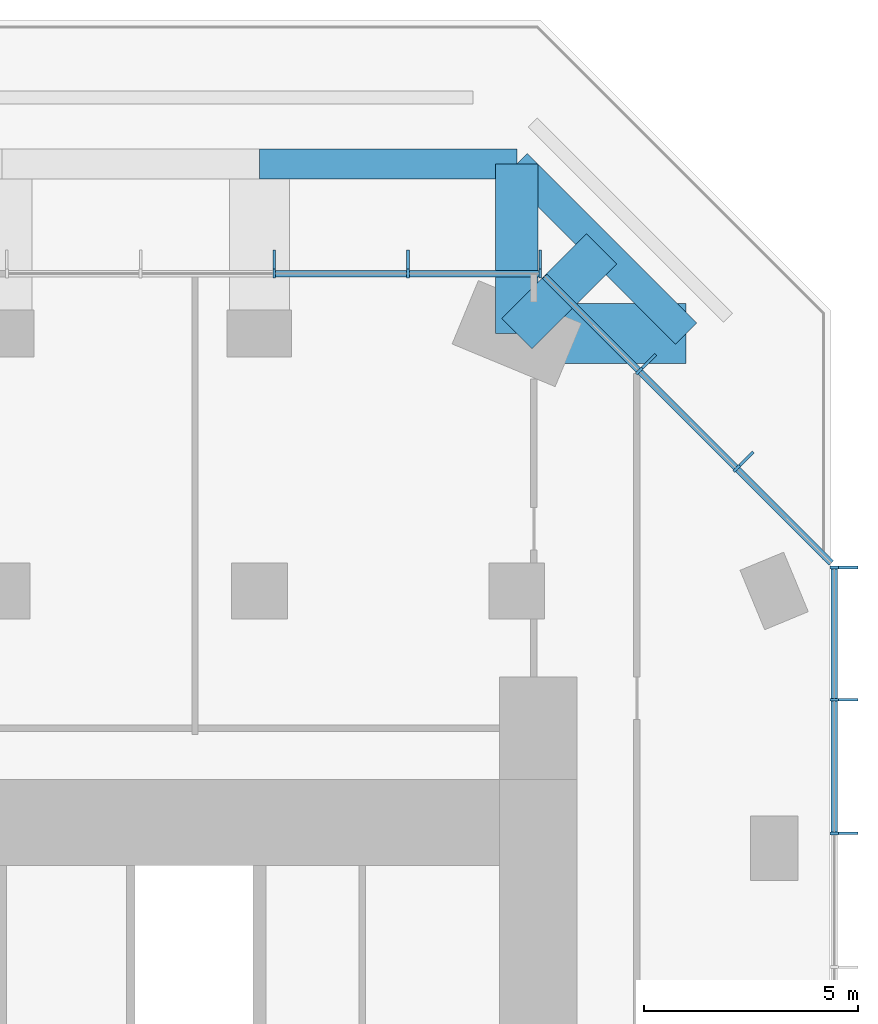
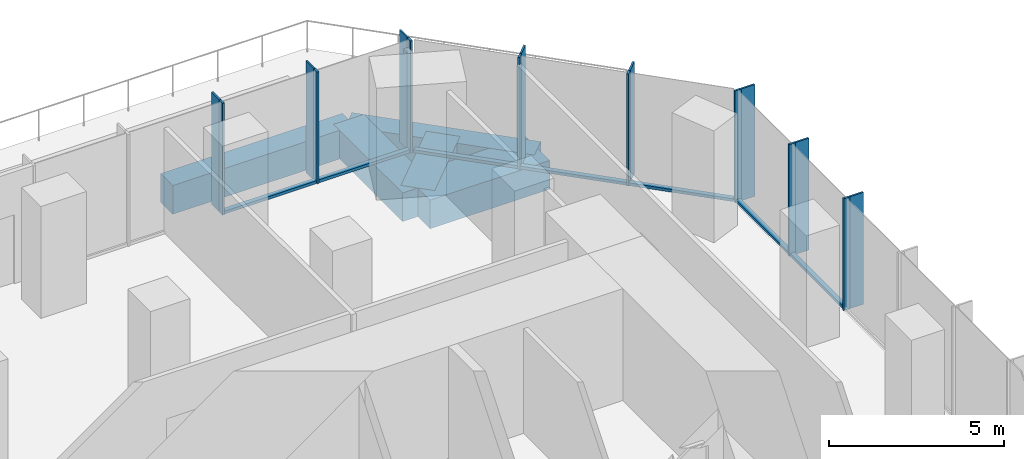
# One storey, part 6 of 11: 23 members, 5 beams, 3 elements without a shape of their own.
"""IFC4 building model written with IfcOpenShell, lengths in metres."""

from ifc_helpers import new_model, si_unit, direction, frame, origin, origin_2d, place, context, subcontext, project, spatial, rectangle, extrude, material, layer, layer_set, material_profile, profile_set, type_object, element, aggregate, save


model = new_model("IFC4")

# Units and contexts
model_context = context("Model", 3, precision=1e-05, world=origin(), true_north=direction((0.0, 1.0)))
body_context = subcontext(model_context, "Body", "Model", "MODEL_VIEW")
ifc_project = project(units=[si_unit("LENGTHUNIT", "METRE"), si_unit("AREAUNIT", "SQUARE_METRE"), si_unit("VOLUMEUNIT", "CUBIC_METRE"), si_unit("PLANEANGLEUNIT", "RADIAN"), si_unit("MASSUNIT", "GRAM", prefix="KILO")], contexts=[model_context])

# Site, building, storey
site_placement = place(None, origin())
site = spatial("IfcSite", under=ifc_project, at=site_placement, CompositionType="ELEMENT")
building_placement = place(site_placement, origin())
building = spatial("IfcBuilding", under=site, at=building_placement, Name="Highveld Stack Headquarters", CompositionType="ELEMENT")
storey_placement = place(building_placement, frame((0.0, 0.0, 212.300048828125)))
storey = spatial("IfcBuildingStorey", under=building, at=storey_placement, Name="L52", CompositionType="ELEMENT", Elevation=212.300048828125)

# Beams
ifc_material_1 = material(Name="Concrete C60/75", Category="concrete")
ifc_material_profile_1 = material_profile(ifc_material_1, rectangle(XDim=1.0, YDim=1.0, at=origin_2d()), Name="RC 1000x1000")
ifc_profile_set_1 = profile_set([ifc_material_profile_1], Name="Concrete C60/75")
beam_type_1 = type_object("IfcBeamType", Name="CANTILEVER RIB RC 1000x1000", PredefinedType="USERDEFINED", material=ifc_profile_set_1)
beam_1_placement = place(storey_placement, frame((18.0, 24.0, -0.75), z_axis=(0.0, 1.0, 0.0), x_axis=(-1.0, 0.0, 0.0)))
element("IfcBeam", 1, at=beam_1_placement, inside=storey, type_object=beam_type_1, Name="Cantilever rib 9/J L52", ObjectType="CANTILEVER RIB", PredefinedType="USERDEFINED", context=body_context, shape_type="SweptSolid", body=[
    extrude(rectangle(XDim=1.0, YDim=1.0, at=origin_2d()), origin(), (0.0, 0.0, 1.0), 3.949951171875),
])
beam_2_placement = place(storey_placement, frame((18.0, 24.0, -0.75), z_axis=(0.707106781187, 0.707106781187, 0.0), x_axis=(-0.707106781187, 0.707106781187, 0.0)))
element("IfcBeam", 2, at=beam_2_placement, inside=storey, type_object=beam_type_1, Name="Cantilever rib 9/J L52", ObjectType="CANTILEVER RIB", PredefinedType="USERDEFINED", context=body_context, shape_type="SweptSolid", body=[
    extrude(rectangle(XDim=1.0, YDim=1.0, at=origin_2d()), origin(), (0.0, 0.0, 1.0), 2.793212890625),
])
ifc_material_2 = material(Name="Concrete C60/75", Category="concrete")
ifc_material_profile_2 = material_profile(ifc_material_2, rectangle(XDim=1.39990234375, YDim=1.0, at=origin_2d()), Name="RC 1400x1000")
ifc_profile_set_2 = profile_set([ifc_material_profile_2], Name="Concrete C60/75")
beam_type_2 = type_object("IfcBeamType", Name="CANTILEVER RIB RC 1400x1000", PredefinedType="USERDEFINED", material=ifc_profile_set_2)
beam_3_placement = place(storey_placement, frame((18.0, 24.0, -0.75), z_axis=(1.0, 0.0, 0.0), x_axis=(0.0, 1.0, 0.0)))
element("IfcBeam", 3, at=beam_3_placement, inside=storey, type_object=beam_type_2, Name="Cantilever rib 9/J L52", ObjectType="CANTILEVER RIB", PredefinedType="USERDEFINED", context=body_context, shape_type="SweptSolid", body=[
    extrude(rectangle(XDim=1.39990234375, YDim=1.0, at=origin_2d()), origin(), (0.0, 0.0, 1.0), 3.949951171875),
])

# Curtain wall, members
ifc_material_3 = material(Name="Aluminium bronze anodised", Category="aluminium")
ifc_layer_1 = layer(ifc_material_3, 0.199951171875)
ifc_layer_set_1 = layer_set([ifc_layer_1], Name="Aluminium bronze anodised")
curtain_wall_type_1 = type_object("IfcCurtainWallType", Name="CW1 TOWER UNITISED CURTAIN WALL", PredefinedType="NOTDEFINED", material=ifc_layer_set_1)
curtain_wall_1_placement = place(storey_placement, origin())
curtain_wall_1 = element("IfcCurtainWall", 4, at=curtain_wall_1_placement, inside=storey, type_object=curtain_wall_type_1, Name="Curtain wall CW1 L52 E", PredefinedType="NOTDEFINED")
ifc_material_4 = material(Name="Aluminium bronze anodised", Category="aluminium")
ifc_material_profile_3 = material_profile(ifc_material_4, rectangle(XDim=0.449951171875, YDim=0.06005859375, at=origin_2d()), Name="FIN 450x60")
ifc_profile_set_3 = profile_set([ifc_material_profile_3], Name="Aluminium bronze anodised")
member_type_1 = type_object("IfcMemberType", Name="CW1 BRONZE FIN 450x60", PredefinedType="USERDEFINED", material=ifc_profile_set_3)
member_1_placement = place(storey_placement, frame((25.72509765625, 12.347900390625, 0.0), z_axis=(0.0, 0.0, 1.0), x_axis=(-1.0, 0.0, 0.0)))
member_1 = element("IfcMember", 5, at=member_1_placement, type_object=member_type_1, Name="CW1 fin L52 9", ObjectType="FIN", PredefinedType="USERDEFINED", context=body_context, shape_type="SweptSolid", body=[
    extrude(rectangle(XDim=0.449951171875, YDim=0.06005859375, at=origin_2d()), origin(), (0.0, 0.0, 1.0), 3.89990234375),
])
member_2_placement = place(storey_placement, frame((25.72509765625, 15.4638671875, 0.0), z_axis=(0.0, 0.0, 1.0), x_axis=(-1.0, 0.0, 0.0)))
member_2 = element("IfcMember", 6, at=member_2_placement, type_object=member_type_1, Name="CW1 fin L52 10", ObjectType="FIN", PredefinedType="USERDEFINED", context=body_context, shape_type="SweptSolid", body=[
    extrude(rectangle(XDim=0.449951171875, YDim=0.06005859375, at=origin_2d()), origin(), (0.0, 0.0, 1.0), 3.89990234375),
])
member_3_placement = place(storey_placement, frame((25.72509765625, 18.54736328125, 0.0), z_axis=(0.0, 0.0, 1.0), x_axis=(-1.0, 0.0, 0.0)))
member_3 = element("IfcMember", 7, at=member_3_placement, type_object=member_type_1, Name="CW1 fin L52 11", ObjectType="FIN", PredefinedType="USERDEFINED", context=body_context, shape_type="SweptSolid", body=[
    extrude(rectangle(XDim=0.449951171875, YDim=0.06005859375, at=origin_2d()), origin(), (0.0, 0.0, 1.0), 3.89990234375),
])

curtain_wall_2_placement = place(storey_placement, origin())
curtain_wall_2 = element("IfcCurtainWall", 8, at=curtain_wall_2_placement, inside=storey, type_object=curtain_wall_type_1, Name="Curtain wall CW1 L52 N-1", PredefinedType="NOTDEFINED")
member_4_placement = place(storey_placement, frame((18.54736328125, 25.72509765625, 0.0), z_axis=(0.0, 0.0, 1.0), x_axis=(0.0, -1.0, 0.0)))
member_4 = element("IfcMember", 9, at=member_4_placement, type_object=member_type_1, Name="CW1 fin L52 1", ObjectType="FIN", PredefinedType="USERDEFINED", context=body_context, shape_type="SweptSolid", body=[
    extrude(rectangle(XDim=0.449951171875, YDim=0.06005859375, at=origin_2d()), origin(), (0.0, 0.0, 1.0), 3.89990234375),
])
member_5_placement = place(storey_placement, frame((15.4638671875, 25.72509765625, 0.0), z_axis=(0.0, 0.0, 1.0), x_axis=(0.0, -1.0, 0.0)))
member_5 = element("IfcMember", 10, at=member_5_placement, type_object=member_type_1, Name="CW1 fin L52 2", ObjectType="FIN", PredefinedType="USERDEFINED", context=body_context, shape_type="SweptSolid", body=[
    extrude(rectangle(XDim=0.449951171875, YDim=0.06005859375, at=origin_2d()), origin(), (0.0, 0.0, 1.0), 3.89990234375),
])
member_6_placement = place(storey_placement, frame((12.347900390625, 25.72509765625, 0.0), z_axis=(0.0, 0.0, 1.0), x_axis=(0.0, -1.0, 0.0)))
member_6 = element("IfcMember", 11, at=member_6_placement, type_object=member_type_1, Name="CW1 fin L52 3", ObjectType="FIN", PredefinedType="USERDEFINED", context=body_context, shape_type="SweptSolid", body=[
    extrude(rectangle(XDim=0.449951171875, YDim=0.06005859375, at=origin_2d()), origin(), (0.0, 0.0, 1.0), 3.89990234375),
])

# Member
ifc_material_5 = material(Name="Aluminium bronze anodised", Category="aluminium")
ifc_material_profile_4 = material_profile(ifc_material_5, rectangle(XDim=0.199951171875, YDim=0.06494140625, at=origin_2d()), Name="CW1 MULLION 65x200")
ifc_profile_set_4 = profile_set([ifc_material_profile_4], Name="Aluminium bronze anodised")
member_type_2 = type_object("IfcMemberType", Name="CW1 MULLION 65x200", PredefinedType="MULLION", material=ifc_profile_set_4)
member_7_placement = place(storey_placement, frame((25.39990234375, 12.347900390625, 0.0), z_axis=(0.0, 0.0, 1.0), x_axis=(-1.0, 0.0, 0.0)))
member_7 = element("IfcMember", 12, at=member_7_placement, type_object=member_type_2, Name="CW1 mullion L52 9", PredefinedType="MULLION", context=body_context, shape_type="SweptSolid", body=[
    extrude(rectangle(XDim=0.199951171875, YDim=0.06494140625, at=origin_2d()), origin(), (0.0, 0.0, 1.0), 3.89990234375),
])

member_8_placement = place(storey_placement, frame((25.39990234375, 15.4638671875, 0.0), z_axis=(0.0, 0.0, 1.0), x_axis=(-1.0, 0.0, 0.0)))
member_8 = element("IfcMember", 13, at=member_8_placement, type_object=member_type_2, Name="CW1 mullion L52 10", PredefinedType="MULLION", context=body_context, shape_type="SweptSolid", body=[
    extrude(rectangle(XDim=0.199951171875, YDim=0.06494140625, at=origin_2d()), origin(), (0.0, 0.0, 1.0), 3.89990234375),
])

member_9_placement = place(storey_placement, frame((25.39990234375, 18.54736328125, 0.0), z_axis=(0.0, 0.0, 1.0), x_axis=(-1.0, 0.0, 0.0)))
member_9 = element("IfcMember", 14, at=member_9_placement, type_object=member_type_2, Name="CW1 mullion L52 11", PredefinedType="MULLION", context=body_context, shape_type="SweptSolid", body=[
    extrude(rectangle(XDim=0.199951171875, YDim=0.06494140625, at=origin_2d()), origin(), (0.0, 0.0, 1.0), 3.89990234375),
])

member_10_placement = place(storey_placement, frame((18.54736328125, 25.39990234375, 0.0), z_axis=(0.0, 0.0, 1.0), x_axis=(0.0, -1.0, 0.0)))
member_10 = element("IfcMember", 15, at=member_10_placement, type_object=member_type_2, Name="CW1 mullion L52 1", PredefinedType="MULLION", context=body_context, shape_type="SweptSolid", body=[
    extrude(rectangle(XDim=0.199951171875, YDim=0.06494140625, at=origin_2d()), origin(), (0.0, 0.0, 1.0), 3.89990234375),
])

member_11_placement = place(storey_placement, frame((15.4638671875, 25.39990234375, 0.0), z_axis=(0.0, 0.0, 1.0), x_axis=(0.0, -1.0, 0.0)))
member_11 = element("IfcMember", 16, at=member_11_placement, type_object=member_type_2, Name="CW1 mullion L52 2", PredefinedType="MULLION", context=body_context, shape_type="SweptSolid", body=[
    extrude(rectangle(XDim=0.199951171875, YDim=0.06494140625, at=origin_2d()), origin(), (0.0, 0.0, 1.0), 3.89990234375),
])

member_12_placement = place(storey_placement, frame((12.347900390625, 25.39990234375, 0.0), z_axis=(0.0, 0.0, 1.0), x_axis=(0.0, -1.0, 0.0)))
member_12 = element("IfcMember", 17, at=member_12_placement, type_object=member_type_2, Name="CW1 mullion L52 3", PredefinedType="MULLION", context=body_context, shape_type="SweptSolid", body=[
    extrude(rectangle(XDim=0.199951171875, YDim=0.06494140625, at=origin_2d()), origin(), (0.0, 0.0, 1.0), 3.89990234375),
])

ifc_material_6 = material(Name="Aluminium bronze anodised", Category="aluminium")
ifc_material_profile_5 = material_profile(ifc_material_6, rectangle(XDim=0.14990234375, YDim=0.10009765625, at=origin_2d()), Name="CW1 TRANSOM 150x100")
ifc_profile_set_5 = profile_set([ifc_material_profile_5], Name="Aluminium bronze anodised")
member_type_3 = type_object("IfcMemberType", Name="CW1 STACK TRANSOM 150x100", PredefinedType="USERDEFINED", material=ifc_profile_set_5)
member_13_placement = place(storey_placement, frame((25.39990234375, 12.38037109375, 0.050048828125), z_axis=(0.0, 1.0, 0.0), x_axis=(-1.0, 0.0, 0.0)))
member_13 = element("IfcMember", 18, at=member_13_placement, type_object=member_type_3, Name="CW1 transom L52 9.1", ObjectType="TRANSOM", PredefinedType="USERDEFINED", context=body_context, shape_type="SweptSolid", body=[
    extrude(rectangle(XDim=0.14990234375, YDim=0.10009765625, at=origin_2d()), origin(), (0.0, 0.0, 1.0), 3.051025390625),
])

member_14_placement = place(storey_placement, frame((25.39990234375, 15.496337890625, 0.050048828125), z_axis=(0.0, 1.0, 0.0), x_axis=(-1.0, 0.0, 0.0)))
member_14 = element("IfcMember", 19, at=member_14_placement, type_object=member_type_3, Name="CW1 transom L52 10.1", ObjectType="TRANSOM", PredefinedType="USERDEFINED", context=body_context, shape_type="SweptSolid", body=[
    extrude(rectangle(XDim=0.14990234375, YDim=0.10009765625, at=origin_2d()), origin(), (0.0, 0.0, 1.0), 3.0185546875),
])

aggregate(curtain_wall_1, [member_7, member_1, member_8, member_2, member_9, member_3, member_13, member_14])

member_15_placement = place(storey_placement, frame((18.514892578125, 25.39990234375, 0.050048828125), z_axis=(-1.0, 0.0, 0.0), x_axis=(0.0, -1.0, 0.0)))
member_15 = element("IfcMember", 20, at=member_15_placement, type_object=member_type_3, Name="CW1 transom L52 1.1", ObjectType="TRANSOM", PredefinedType="USERDEFINED", context=body_context, shape_type="SweptSolid", body=[
    extrude(rectangle(XDim=0.14990234375, YDim=0.10009765625, at=origin_2d()), origin(), (0.0, 0.0, 1.0), 3.0185546875),
])

member_16_placement = place(storey_placement, frame((15.431396484375, 25.39990234375, 0.050048828125), z_axis=(-1.0, 0.0, 0.0), x_axis=(0.0, -1.0, 0.0)))
member_16 = element("IfcMember", 21, at=member_16_placement, type_object=member_type_3, Name="CW1 transom L52 2.1", ObjectType="TRANSOM", PredefinedType="USERDEFINED", context=body_context, shape_type="SweptSolid", body=[
    extrude(rectangle(XDim=0.14990234375, YDim=0.10009765625, at=origin_2d()), origin(), (0.0, 0.0, 1.0), 3.051025390625),
])

aggregate(curtain_wall_2, [member_10, member_4, member_11, member_5, member_12, member_6, member_15, member_16])

# Curtain wall, members
ifc_material_7 = material(Name="Aluminium bronze anodised", Category="aluminium")
ifc_layer_2 = layer(ifc_material_7, 0.199951171875)
ifc_layer_set_2 = layer_set([ifc_layer_2], Name="Aluminium bronze anodised")
curtain_wall_type_2 = type_object("IfcCurtainWallType", Name="CW2 TOWER CHAMFER UNITISED CURTAIN WALL", PredefinedType="NOTDEFINED", material=ifc_layer_set_2)
curtain_wall_3_placement = place(storey_placement, origin())
curtain_wall_3 = element("IfcCurtainWall", 22, at=curtain_wall_3_placement, inside=storey, type_object=curtain_wall_type_2, Name="Curtain wall CW2 L52 NE", PredefinedType="NOTDEFINED")
ifc_material_8 = material(Name="Aluminium bronze anodised", Category="aluminium")
ifc_material_profile_6 = material_profile(ifc_material_8, rectangle(XDim=0.449951171875, YDim=0.06005859375, at=origin_2d()), Name="FIN 450x60")
ifc_profile_set_6 = profile_set([ifc_material_profile_6], Name="Aluminium bronze anodised")
member_type_4 = type_object("IfcMemberType", Name="CW2 BRONZE FIN 450x60", PredefinedType="USERDEFINED", material=ifc_profile_set_6)
member_17_placement = place(storey_placement, frame((23.3564453125, 21.0830078125, 0.0), z_axis=(0.0, 0.0, 1.0), x_axis=(-0.707106781187, -0.707106781187, 0.0)))
member_17 = element("IfcMember", 23, at=member_17_placement, type_object=member_type_4, Name="CW2 fin L52 1", ObjectType="FIN", PredefinedType="USERDEFINED", context=body_context, shape_type="SweptSolid", body=[
    extrude(rectangle(XDim=0.449951171875, YDim=0.06005859375, at=origin_2d()), origin(), (0.0, 0.0, 1.0), 3.89990234375),
])
member_18_placement = place(storey_placement, frame((21.0830078125, 23.3564453125, 0.0), z_axis=(0.0, 0.0, 1.0), x_axis=(-0.707106781187, -0.707106781187, 0.0)))
member_18 = element("IfcMember", 24, at=member_18_placement, type_object=member_type_4, Name="CW2 fin L52 2", ObjectType="FIN", PredefinedType="USERDEFINED", context=body_context, shape_type="SweptSolid", body=[
    extrude(rectangle(XDim=0.449951171875, YDim=0.06005859375, at=origin_2d()), origin(), (0.0, 0.0, 1.0), 3.89990234375),
])
ifc_material_9 = material(Name="Aluminium bronze anodised", Category="aluminium")
ifc_material_profile_7 = material_profile(ifc_material_9, rectangle(XDim=0.199951171875, YDim=0.06494140625, at=origin_2d()), Name="CW2 MULLION 65x200")
ifc_profile_set_7 = profile_set([ifc_material_profile_7], Name="Aluminium bronze anodised")
member_type_5 = type_object("IfcMemberType", Name="CW2 MULLION 65x200", PredefinedType="MULLION", material=ifc_profile_set_7)
member_19_placement = place(storey_placement, frame((23.126708984375, 20.853271484375, 0.0), z_axis=(0.0, 0.0, 1.0), x_axis=(-0.707106781187, -0.707106781187, 0.0)))
member_19 = element("IfcMember", 25, at=member_19_placement, type_object=member_type_5, Name="CW2 mullion L52 1", PredefinedType="MULLION", context=body_context, shape_type="SweptSolid", body=[
    extrude(rectangle(XDim=0.199951171875, YDim=0.06494140625, at=origin_2d()), origin(), (0.0, 0.0, 1.0), 3.89990234375),
])
member_20_placement = place(storey_placement, frame((20.853271484375, 23.126708984375, 0.0), z_axis=(0.0, 0.0, 1.0), x_axis=(-0.707106781187, -0.707106781187, 0.0)))
member_20 = element("IfcMember", 26, at=member_20_placement, type_object=member_type_5, Name="CW2 mullion L52 2", PredefinedType="MULLION", context=body_context, shape_type="SweptSolid", body=[
    extrude(rectangle(XDim=0.199951171875, YDim=0.06494140625, at=origin_2d()), origin(), (0.0, 0.0, 1.0), 3.89990234375),
])
ifc_material_10 = material(Name="Aluminium bronze anodised", Category="aluminium")
ifc_material_profile_8 = material_profile(ifc_material_10, rectangle(XDim=0.14990234375, YDim=0.10009765625, at=origin_2d()), Name="CW2 TRANSOM 150x100")
ifc_profile_set_8 = profile_set([ifc_material_profile_8], Name="Aluminium bronze anodised")
member_type_6 = type_object("IfcMemberType", Name="CW2 STACK TRANSOM 150x100", PredefinedType="USERDEFINED", material=ifc_profile_set_8)
member_21_placement = place(storey_placement, frame((25.329345703125, 18.650634765625, 0.050048828125), z_axis=(-0.707106781187, 0.707106781187, 0.0), x_axis=(-0.707106781187, -0.707106781187, 0.0)))
member_21 = element("IfcMember", 27, at=member_21_placement, type_object=member_type_6, Name="CW2 transom L52 1.1", ObjectType="TRANSOM", PredefinedType="USERDEFINED", context=body_context, shape_type="SweptSolid", body=[
    extrude(rectangle(XDim=0.14990234375, YDim=0.10009765625, at=origin_2d()), origin(), (0.0, 0.0, 1.0), 3.08251953125),
])
member_22_placement = place(storey_placement, frame((23.103759765625, 20.876220703125, 0.050048828125), z_axis=(-0.707106781187, 0.707106781187, 0.0), x_axis=(-0.707106781187, -0.707106781187, 0.0)))
member_22 = element("IfcMember", 28, at=member_22_placement, type_object=member_type_6, Name="CW2 transom L52 2.1", ObjectType="TRANSOM", PredefinedType="USERDEFINED", context=body_context, shape_type="SweptSolid", body=[
    extrude(rectangle(XDim=0.14990234375, YDim=0.10009765625, at=origin_2d()), origin(), (0.0, 0.0, 1.0), 3.150146484375),
])
member_23_placement = place(storey_placement, frame((20.830322265625, 23.149658203125, 0.050048828125), z_axis=(-0.707106781187, 0.707106781187, 0.0), x_axis=(-0.707106781187, -0.707106781187, 0.0)))
member_23 = element("IfcMember", 29, at=member_23_placement, type_object=member_type_6, Name="CW2 transom L52 3.1", ObjectType="TRANSOM", PredefinedType="USERDEFINED", context=body_context, shape_type="SweptSolid", body=[
    extrude(rectangle(XDim=0.14990234375, YDim=0.10009765625, at=origin_2d()), origin(), (0.0, 0.0, 1.0), 3.08251953125),
])
aggregate(curtain_wall_3, [member_19, member_17, member_20, member_18, member_21, member_22, member_23])

# Beams
ifc_material_11 = material(Name="Concrete C60/75", Category="concrete")
ifc_material_profile_9 = material_profile(ifc_material_11, rectangle(XDim=0.699951171875, YDim=1.0, at=origin_2d()), Name="RC 700x1000")
ifc_profile_set_9 = profile_set([ifc_material_profile_9], Name="Concrete C60/75")
beam_type_3 = type_object("IfcBeamType", Name="RIB TIP BEAM RC 700x1000", PredefinedType="SPANDREL", material=ifc_profile_set_9)
beam_4_placement = place(storey_placement, frame((12.0, 27.949951171875, -0.75), z_axis=(1.0, 0.0, 0.0), x_axis=(0.0, 1.0, 0.0)))
element("IfcBeam", 30, at=beam_4_placement, inside=storey, type_object=beam_type_3, Name="Rib tip beam 8/J to 9/J L52", PredefinedType="SPANDREL", context=body_context, shape_type="SweptSolid", body=[
    extrude(rectangle(XDim=0.699951171875, YDim=1.0, at=origin_2d()), origin(), (0.0, 0.0, 1.0), 6.0),
])
beam_5_placement = place(storey_placement, frame((21.949951171875, 24.0, -0.75), z_axis=(-0.707106781187, 0.707106781187, 0.0), x_axis=(-0.707106781187, -0.707106781187, 0.0)))
element("IfcBeam", 31, at=beam_5_placement, inside=storey, type_object=beam_type_3, Name="Rib tip beam 9/J corner L52", PredefinedType="SPANDREL", context=body_context, shape_type="SweptSolid", body=[
    extrude(rectangle(XDim=0.699951171875, YDim=1.0, at=origin_2d()), origin(), (0.0, 0.0, 1.0), 5.586181640625),
])

save(model, "model.ifc")
